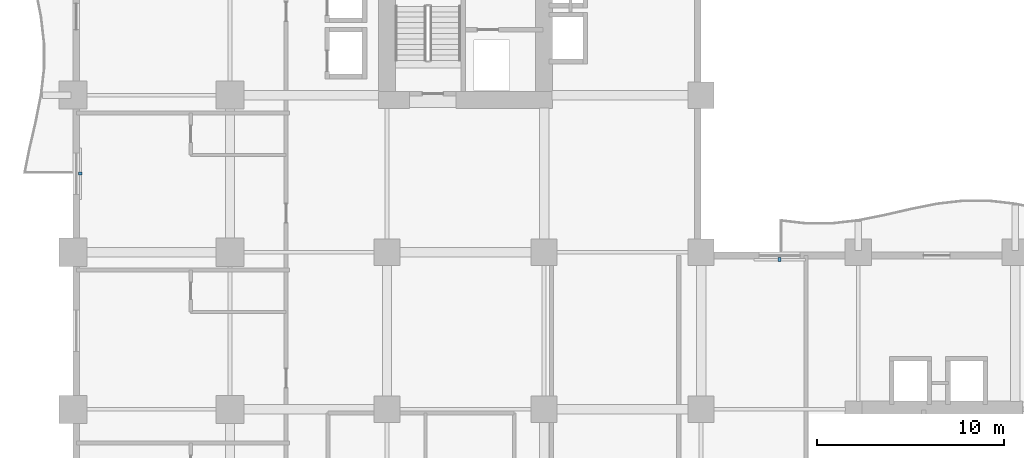
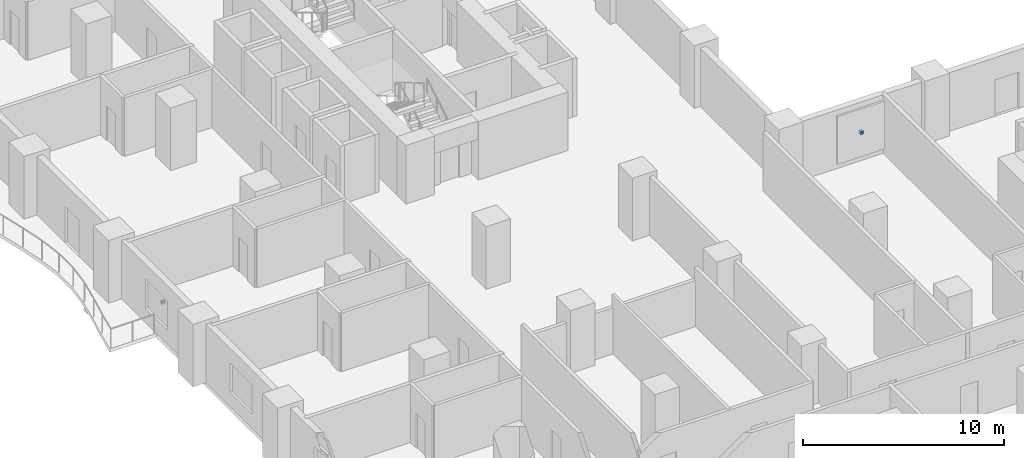
# One storey, part 16 of 22: 2 discrete accessories.
"""IFC4 building model written with IfcOpenShell, lengths in metres."""

from ifc_helpers import new_model, si_unit, direction, frame, origin, origin_2d, place, context, subcontext, project, spatial, rectangle, extrude, material, type_object, element, save


model = new_model("IFC4")

# Units and contexts
model_context = context("Model", 3, precision=1e-05, world=origin(), true_north=direction((0.0, 1.0)))
body_context = subcontext(model_context, "Body", "Model", "MODEL_VIEW")
ifc_project = project(units=[si_unit("LENGTHUNIT", "METRE"), si_unit("AREAUNIT", "SQUARE_METRE"), si_unit("VOLUMEUNIT", "CUBIC_METRE"), si_unit("PLANEANGLEUNIT", "RADIAN"), si_unit("MASSUNIT", "GRAM", prefix="KILO")], contexts=[model_context])

# Site, building, storey
site_placement = place(None, origin())
site = spatial("IfcSite", under=ifc_project, at=site_placement, CompositionType="ELEMENT")
building_placement = place(site_placement, origin())
building = spatial("IfcBuilding", under=site, at=building_placement, Name="Koriwani Terraces Tower", CompositionType="ELEMENT")
storey_placement = place(building_placement, frame((0.0, 0.0, 51.0)))
storey = spatial("IfcBuildingStorey", under=building, at=storey_placement, Name="L11", CompositionType="ELEMENT", Elevation=51.0)

# Discrete accessories
ifc_material = material(Name="Steel ASTM A572 Grade 50", Category="steel")
discrete_accessory_type = type_object("IfcDiscreteAccessoryType", Name="BAGUETTE_STANDOFF_BRACKET", PredefinedType="BRACKET", material=ifc_material)
for number, where, z_axis, x_axis, name in (
    (1, (0.389892578125, 37.800048828125, 1.68505859375), (0.0, 0.0, 1.0), (0.0, 1.0, 0.0), "L11 Terracotta Baguette Bracket (W-12)"),
    (2, (37.800048828125, 33.2099609375, 1.68505859375), (0.0, 0.0, 1.0), (1.0, 0.0, 0.0), "L11 Terracotta Baguette Bracket (NE-2)"),
):
    element("IfcDiscreteAccessory", number, at=place(storey_placement, frame(where, z_axis=z_axis, x_axis=x_axis)), inside=storey, type_object=discrete_accessory_type, Name=name, PredefinedType="BRACKET", context=body_context, shape_type="SweptSolid", body=[
        extrude(rectangle(XDim=0.159912109375, YDim=0.199951171875, at=origin_2d()), origin(), (0.0, 0.0, 1.0), 0.179931640625),
    ])

save(model, "model.ifc")
